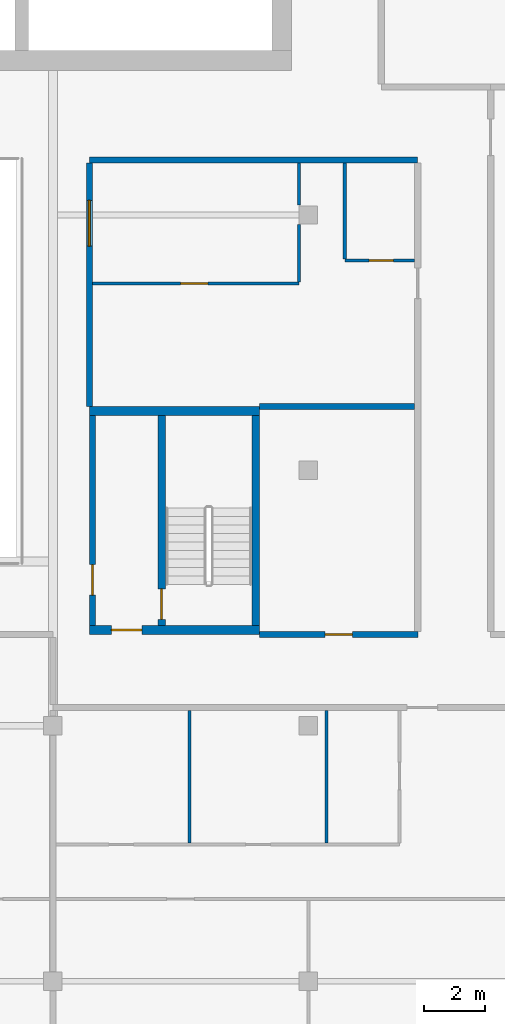
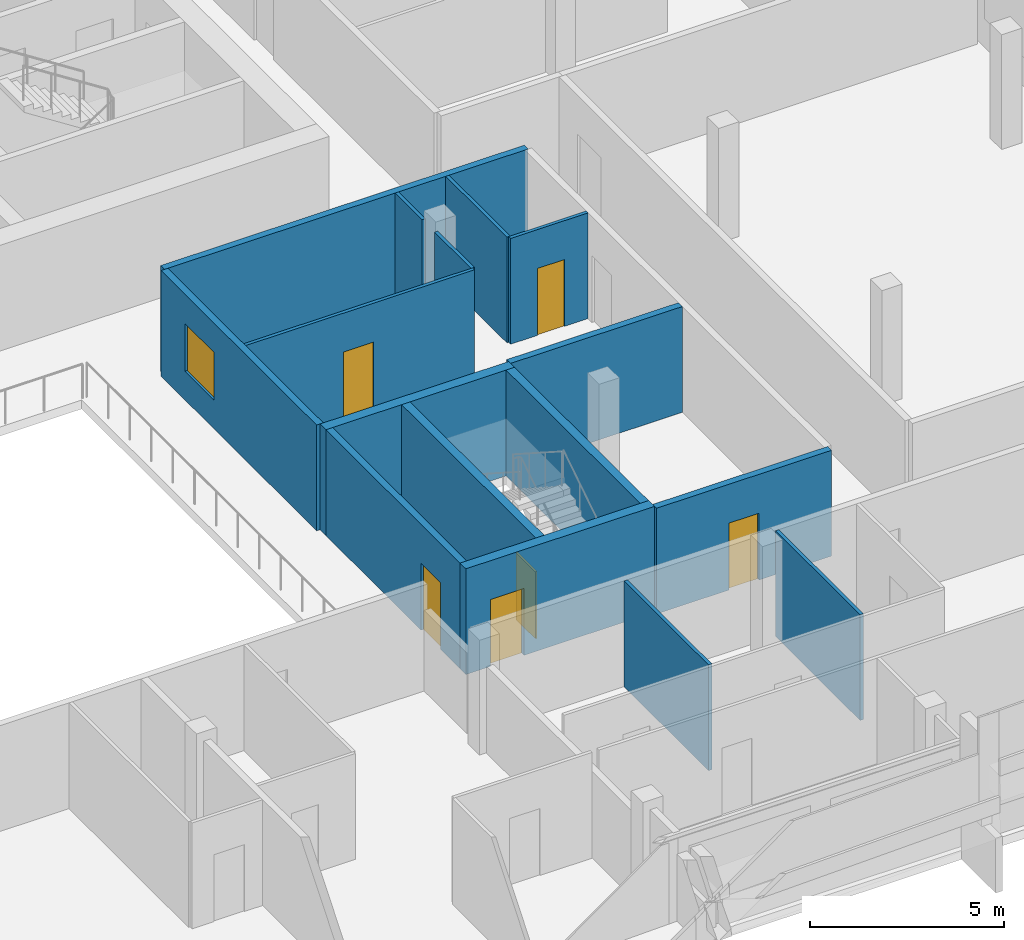
# One storey, part 19 of 27: 16 walls, 6 doors, 1 window, 7 openings.
"""IFC4 building model written with IfcOpenShell, lengths in metres."""

from ifc_helpers import new_model, si_unit, direction, frame, frame_2d, origin, place, context, subcontext, project, spatial, rectangle, extrude, material, layer, layer_set, type_object, element, fill, save


model = new_model("IFC4")

# Units and contexts
model_context = context("Model", 3, precision=1e-05, world=origin(), true_north=direction((0.0, 1.0)))
body_context = subcontext(model_context, "Body", "Model", "MODEL_VIEW")
ifc_project = project(units=[si_unit("LENGTHUNIT", "METRE"), si_unit("AREAUNIT", "SQUARE_METRE"), si_unit("VOLUMEUNIT", "CUBIC_METRE"), si_unit("PLANEANGLEUNIT", "RADIAN"), si_unit("MASSUNIT", "GRAM", prefix="KILO")], contexts=[model_context])

# Site, building, storey
site_placement = place(None, origin())
site = spatial("IfcSite", under=ifc_project, at=site_placement, CompositionType="ELEMENT")
building_placement = place(site_placement, origin())
building = spatial("IfcBuilding", under=site, at=building_placement, Name="Saffron Gate Tower", CompositionType="ELEMENT")
storey_placement = place(building_placement, frame((0.0, 0.0, 212.699951171875)))
storey = spatial("IfcBuildingStorey", under=building, at=storey_placement, Name="L51", CompositionType="ELEMENT", Elevation=212.699951171875)

# Wall, opening, door
ifc_material_1 = material(Name="Gypsum board partition on steel studs", Category="steel")
ifc_layer_1 = layer(ifc_material_1, 0.199951171875)
ifc_layer_set_1 = layer_set([ifc_layer_1], Name="CW10 Core partition 200")
wall_type_1 = type_object("IfcWallType", Name="CW10 Core partition 200", PredefinedType="PARTITIONING", material=ifc_layer_set_1)
wall_1_placement = place(storey_placement, frame((101.5, 43.5, 0.0), z_axis=(0.0, 0.0, 1.0), x_axis=(0.0, 1.0, 0.0)))
wall_1 = element("IfcWall", 1, at=wall_1_placement, inside=storey, type_object=wall_type_1, Name="Wall CW10-L51-E-2", PredefinedType="PARTITIONING", context=body_context, shape_type="SweptSolid", body=[
    extrude(rectangle(XDim=6.89990234375, YDim=0.199951171875, at=frame_2d((3.449951171875, 0.0))), origin(), (0.0, 0.0, 1.0), 3.320068359375),
])
opening_1_placement = place(wall_1_placement, frame((1.0, 0.0, 0.0)))
opening_1 = element("IfcOpeningElement", 2, at=opening_1_placement, cuts=wall_1, Name="Opening CR-22", PredefinedType="OPENING", context=body_context, shape_type="SweptSolid", body=[
    extrude(rectangle(XDim=1.0, YDim=2.10009765625, at=frame_2d((0.5, 1.050048828125))), frame((0.0, 0.10986328125, 0.0), z_axis=(0.0, -1.0, 0.0), x_axis=(1.0, 0.0, 0.0)), (0.0, 0.0, 1.0), 0.219970703125),
])
ifc_material_2 = material(Name="Steel fire door set", Category="steel")
door_type_1 = type_object("IfcDoorType", Name="CD4 Lobby door 1000x2100 EI 120", OperationType="NOTDEFINED", PredefinedType="DOOR", material=ifc_material_2)
door_1_placement = place(opening_1_placement, origin())
door_1 = element("IfcDoor", 3, at=door_1_placement, inside=storey, type_object=door_type_1, Name="DOOR CR-22", OperationType="SINGLE_SWING_LEFT", OverallHeight=2.10009765625, OverallWidth=1.0, PredefinedType="DOOR", context=body_context, shape_type="SweptSolid", body=[
    extrude(rectangle(XDim=1.0, YDim=2.10009765625, at=frame_2d((0.5, 1.050048828125))), frame((0.0, 0.02490234375, 0.0), z_axis=(0.0, -1.0, 0.0), x_axis=(1.0, 0.0, 0.0)), (0.0, 0.0, 1.0), 0.050048828125),
])
fill(opening_1, door_1)

ifc_material_3 = material(Name="Concrete C60", Category="concrete")
ifc_layer_2 = layer(ifc_material_3, 0.25)
ifc_layer_set_2 = layer_set([ifc_layer_2], Name="CW14 RC core wall 250 C60")
wall_type_2 = type_object("IfcWallType", Name="CW14 RC core wall 250 C60", PredefinedType="SOLIDWALL", material=ifc_layer_set_2)
wall_2_placement = place(storey_placement, frame((103.77490234375, 43.5, 0.0), z_axis=(0.0, 0.0, 1.0), x_axis=(0.0, 1.0, 0.0)))
wall_2 = element("IfcWall", 4, at=wall_2_placement, inside=storey, type_object=wall_type_2, Name="Wall CW14-L51-E-3", PredefinedType="SOLIDWALL", context=body_context, shape_type="SweptSolid", body=[
    extrude(rectangle(XDim=6.89990234375, YDim=0.25, at=frame_2d((3.449951171875, 0.0))), origin(), (0.0, 0.0, 1.0), 3.320068359375),
])
opening_2_placement = place(wall_2_placement, frame((0.199951171875, 0.0, 0.0)))
opening_2 = element("IfcOpeningElement", 5, at=opening_2_placement, cuts=wall_2, Name="Opening CR-23", PredefinedType="OPENING", context=body_context, shape_type="SweptSolid", body=[
    extrude(rectangle(XDim=1.0, YDim=2.10009765625, at=frame_2d((0.5, 1.050048828125))), frame((0.0, 0.135009765625, 0.0), z_axis=(0.0, -1.0, 0.0), x_axis=(1.0, 0.0, 0.0)), (0.0, 0.0, 1.0), 0.27001953125),
])
door_type_2 = type_object("IfcDoorType", Name="CD5 Stair door 1000x2100 EI 120", OperationType="NOTDEFINED", PredefinedType="DOOR", material=ifc_material_2)
door_2_placement = place(opening_2_placement, origin())
door_2 = element("IfcDoor", 6, at=door_2_placement, inside=storey, type_object=door_type_2, Name="DOOR CR-23", OperationType="SINGLE_SWING_RIGHT", OverallHeight=2.10009765625, OverallWidth=1.0, PredefinedType="DOOR", context=body_context, shape_type="SweptSolid", body=[
    extrude(rectangle(XDim=1.0, YDim=2.10009765625, at=frame_2d((0.5, 1.050048828125))), frame((0.0, 0.02490234375, 0.0), z_axis=(0.0, -1.0, 0.0), x_axis=(1.0, 0.0, 0.0)), (0.0, 0.0, 1.0), 0.050048828125),
])
fill(opening_2, door_2)

# Wall
wall_3_placement = place(storey_placement, frame((106.875, 43.5, 0.0), z_axis=(0.0, 0.0, 1.0), x_axis=(0.0, 1.0, 0.0)))
element("IfcWall", 7, at=wall_3_placement, inside=storey, type_object=wall_type_2, Name="Wall CW14-L51-E-4", PredefinedType="SOLIDWALL", context=body_context, shape_type="SweptSolid", body=[
    extrude(rectangle(XDim=6.89990234375, YDim=0.25, at=frame_2d((3.449951171875, 0.0))), origin(), (0.0, 0.0, 1.0), 3.320068359375),
])

# Wall, opening, door
ifc_layer_3 = layer(ifc_material_3, 0.300048828125)
ifc_layer_set_3 = layer_set([ifc_layer_3], Name="CW17 RC core wall 300 C60")
wall_type_3 = type_object("IfcWallType", Name="CW17 RC core wall 300 C60", PredefinedType="SOLIDWALL", material=ifc_layer_set_3)
wall_4_placement = place(storey_placement, frame((101.39990234375, 43.35009765625, 0.0), z_axis=(0.0, 0.0, 1.0), x_axis=(1.0, 0.0, 0.0)))
wall_4 = element("IfcWall", 8, at=wall_4_placement, inside=storey, type_object=wall_type_3, Name="Wall CW17-L51-E-1", PredefinedType="SOLIDWALL", context=body_context, shape_type="SweptSolid", body=[
    extrude(rectangle(XDim=5.60009765625, YDim=0.300048828125, at=frame_2d((2.800048828125, 0.0))), origin(), (0.0, 0.0, 1.0), 3.320068359375),
])
opening_3_placement = place(wall_4_placement, frame((0.72509765625, 0.0, 0.0)))
opening_3 = element("IfcOpeningElement", 9, at=opening_3_placement, cuts=wall_4, Name="Opening CR-21", PredefinedType="OPENING", context=body_context, shape_type="SweptSolid", body=[
    extrude(rectangle(XDim=1.0, YDim=2.10009765625, at=frame_2d((0.5, 1.050048828125))), frame((0.0, 0.16015625, 0.0), z_axis=(0.0, -1.0, 0.0), x_axis=(1.0, 0.0, 0.0)), (0.0, 0.0, 1.0), 0.320068359375),
])
door_3_placement = place(opening_3_placement, origin())
door_3 = element("IfcDoor", 10, at=door_3_placement, inside=storey, type_object=door_type_1, Name="DOOR CR-21", OperationType="SINGLE_SWING_RIGHT", OverallHeight=2.10009765625, OverallWidth=1.0, PredefinedType="DOOR", context=body_context, shape_type="SweptSolid", body=[
    extrude(rectangle(XDim=1.0, YDim=2.10009765625, at=frame_2d((0.5, 1.050048828125))), frame((0.0, 0.02490234375, 0.0), z_axis=(0.0, -1.0, 0.0), x_axis=(1.0, 0.0, 0.0)), (0.0, 0.0, 1.0), 0.050048828125),
])
fill(opening_3, door_3)

# Wall
wall_5_placement = place(storey_placement, frame((101.39990234375, 50.550048828125, 0.0), z_axis=(0.0, 0.0, 1.0), x_axis=(1.0, 0.0, 0.0)))
element("IfcWall", 11, at=wall_5_placement, inside=storey, type_object=wall_type_3, Name="Wall CW17-L51-E-5", PredefinedType="SOLIDWALL", context=body_context, shape_type="SweptSolid", body=[
    extrude(rectangle(XDim=5.60009765625, YDim=0.300048828125, at=frame_2d((2.800048828125, 0.0))), origin(), (0.0, 0.0, 1.0), 3.320068359375),
])

# Wall, opening, door
ifc_material_4 = material(Name="Plasterboard on steel studs", Category="steel")
ifc_layer_4 = layer(ifc_material_4, 0.10009765625)
ifc_layer_set_4 = layer_set([ifc_layer_4], Name="PW1 Partition 100")
wall_type_4 = type_object("IfcWallType", Name="PW1 Partition 100", PredefinedType="PARTITIONING", material=ifc_layer_set_4)
wall_6_placement = place(storey_placement, frame((101.5, 54.75, 0.0), z_axis=(0.0, 0.0, 1.0), x_axis=(1.0, 0.0, 0.0)))
wall_6 = element("IfcWall", 12, at=wall_6_placement, inside=storey, type_object=wall_type_4, Name="Partition D1-24", PredefinedType="PARTITIONING", context=body_context, shape_type="SweptSolid", body=[
    extrude(rectangle(XDim=6.800048828125, YDim=0.10009765625, at=frame_2d((3.39990234375, 0.0))), origin(), (0.0, 0.0, 1.0), 3.320068359375),
])
opening_4_placement = place(wall_6_placement, frame((2.89990234375, 0.0, 0.0)))
opening_4 = element("IfcOpeningElement", 13, at=opening_4_placement, cuts=wall_6, Name="Opening D1-31", PredefinedType="OPENING", context=body_context, shape_type="SweptSolid", body=[
    extrude(rectangle(XDim=0.89990234375, YDim=2.10009765625, at=frame_2d((0.449951171875, 1.050048828125))), frame((0.0, 0.06005859375, 0.0), z_axis=(0.0, -1.0, 0.0), x_axis=(1.0, 0.0, 0.0)), (0.0, 0.0, 1.0), 0.1201171875),
])
ifc_material_5 = material(Name="Timber door set", Category="wood")
door_type_3 = type_object("IfcDoorType", Name="RD1 Room door 900x2100", OperationType="NOTDEFINED", PredefinedType="DOOR", material=ifc_material_5)
door_4_placement = place(opening_4_placement, origin())
door_4 = element("IfcDoor", 14, at=door_4_placement, inside=storey, type_object=door_type_3, Name="Door D1-31", OperationType="SINGLE_SWING_LEFT", OverallHeight=2.10009765625, OverallWidth=0.89990234375, PredefinedType="DOOR", context=body_context, shape_type="SweptSolid", body=[
    extrude(rectangle(XDim=0.89990234375, YDim=2.10009765625, at=frame_2d((0.449951171875, 1.050048828125))), frame((0.0, 0.02490234375, 0.0), z_axis=(0.0, -1.0, 0.0), x_axis=(1.0, 0.0, 0.0)), (0.0, 0.0, 1.0), 0.050048828125),
])
fill(opening_4, door_4)

wall_7_placement = place(storey_placement, frame((109.800048828125, 55.5, 0.0), z_axis=(0.0, 0.0, 1.0), x_axis=(1.0, 0.0, 0.0)))
wall_7 = element("IfcWall", 15, at=wall_7_placement, inside=storey, type_object=wall_type_4, Name="Partition D1-25", PredefinedType="PARTITIONING", context=body_context, shape_type="SweptSolid", body=[
    extrude(rectangle(XDim=2.300048828125, YDim=0.10009765625, at=frame_2d((1.14990234375, 0.0))), origin(), (0.0, 0.0, 1.0), 3.320068359375),
])
opening_5_placement = place(wall_7_placement, frame((0.800048828125, 0.0, 0.0)))
opening_5 = element("IfcOpeningElement", 16, at=opening_5_placement, cuts=wall_7, Name="Opening D1-41", PredefinedType="OPENING", context=body_context, shape_type="SweptSolid", body=[
    extrude(rectangle(XDim=0.800048828125, YDim=2.10009765625, at=frame_2d((0.39990234375, 1.050048828125))), frame((0.0, 0.06005859375, 0.0), z_axis=(0.0, -1.0, 0.0), x_axis=(1.0, 0.0, 0.0)), (0.0, 0.0, 1.0), 0.1201171875),
])
door_type_4 = type_object("IfcDoorType", Name="RD2 Bathroom door 800x2100", OperationType="NOTDEFINED", PredefinedType="DOOR", material=ifc_material_5)
door_5_placement = place(opening_5_placement, origin())
door_5 = element("IfcDoor", 17, at=door_5_placement, inside=storey, type_object=door_type_4, Name="Door D1-41", OperationType="SINGLE_SWING_RIGHT", OverallHeight=2.10009765625, OverallWidth=0.800048828125, PredefinedType="DOOR", context=body_context, shape_type="SweptSolid", body=[
    extrude(rectangle(XDim=0.800048828125, YDim=2.10009765625, at=frame_2d((0.39990234375, 1.050048828125))), frame((0.0, 0.02490234375, 0.0), z_axis=(0.0, -1.0, 0.0), x_axis=(1.0, 0.0, 0.0)), (0.0, 0.0, 1.0), 0.050048828125),
])
fill(opening_5, door_5)

# Walls
wall_8_placement = place(storey_placement, frame((104.699951171875, 40.699951171875, 0.0), z_axis=(0.0, 0.0, 1.0), x_axis=(0.0, -1.0, 0.0)))
element("IfcWall", 18, at=wall_8_placement, inside=storey, type_object=wall_type_4, Name="Partition D1-83", PredefinedType="PARTITIONING", context=body_context, shape_type="SweptSolid", body=[
    extrude(rectangle(XDim=4.349853515625, YDim=0.10009765625, at=frame_2d((2.1748046875, 0.0))), origin(), (0.0, 0.0, 1.0), 3.320068359375),
])
wall_9_placement = place(storey_placement, frame((108.300048828125, 56.679931640625, 0.0), z_axis=(0.0, 0.0, 1.0), x_axis=(0.0, -1.0, 0.0)))
element("IfcWall", 19, at=wall_9_placement, inside=storey, type_object=wall_type_4, Name="Partition D1-84", PredefinedType="PARTITIONING", context=body_context, shape_type="SweptSolid", body=[
    extrude(rectangle(XDim=1.8798828125, YDim=0.10009765625, at=frame_2d((0.93994140625, 0.0))), origin(), (0.0, 0.0, 1.0), 3.320068359375),
])
wall_10_placement = place(storey_placement, frame((108.300048828125, 58.699951171875, 0.0), z_axis=(0.0, 0.0, 1.0), x_axis=(0.0, -1.0, 0.0)))
element("IfcWall", 20, at=wall_10_placement, inside=storey, type_object=wall_type_4, Name="Partition D1-85", PredefinedType="PARTITIONING", context=body_context, shape_type="SweptSolid", body=[
    extrude(rectangle(XDim=1.3798828125, YDim=0.10009765625, at=frame_2d((0.68994140625, 0.0))), origin(), (0.0, 0.0, 1.0), 3.320068359375),
])
wall_11_placement = place(storey_placement, frame((109.199951171875, 40.699951171875, 0.0), z_axis=(0.0, 0.0, 1.0), x_axis=(0.0, -1.0, 0.0)))
element("IfcWall", 21, at=wall_11_placement, inside=storey, type_object=wall_type_4, Name="Partition D1-88", PredefinedType="PARTITIONING", context=body_context, shape_type="SweptSolid", body=[
    extrude(rectangle(XDim=4.349853515625, YDim=0.10009765625, at=frame_2d((2.1748046875, 0.0))), origin(), (0.0, 0.0, 1.0), 3.320068359375),
])
wall_12_placement = place(storey_placement, frame((109.800048828125, 58.699951171875, 0.0), z_axis=(0.0, 0.0, 1.0), x_axis=(0.0, -1.0, 0.0)))
element("IfcWall", 22, at=wall_12_placement, inside=storey, type_object=wall_type_4, Name="Partition D1-89", PredefinedType="PARTITIONING", context=body_context, shape_type="SweptSolid", body=[
    extrude(rectangle(XDim=3.14990234375, YDim=0.10009765625, at=frame_2d((1.574951171875, 0.0))), origin(), (0.0, 0.0, 1.0), 3.320068359375),
])
ifc_material_6 = material(Name="Clay brick masonry, rendered", Category="masonry")
ifc_layer_5 = layer(ifc_material_6, 0.199951171875)
ifc_layer_set_5 = layer_set([ifc_layer_5], Name="PW2 Demising wall 200")
wall_type_5 = type_object("IfcWallType", Name="PW2 Demising wall 200", PredefinedType="PARTITIONING", material=ifc_layer_set_5)
wall_13_placement = place(storey_placement, frame((107.0, 50.699951171875, 0.0), z_axis=(0.0, 0.0, 1.0), x_axis=(1.0, 0.0, 0.0)))
element("IfcWall", 23, at=wall_13_placement, inside=storey, type_object=wall_type_5, Name="Wall D1-22", PredefinedType="PARTITIONING", context=body_context, shape_type="SweptSolid", body=[
    extrude(rectangle(XDim=5.10009765625, YDim=0.199951171875, at=frame_2d((2.550048828125, 0.0))), origin(), (0.0, 0.0, 1.0), 3.320068359375),
])

# Wall, opening, door
ifc_layer_6 = layer(ifc_material_6, 0.199951171875)
ifc_layer_set_6 = layer_set([ifc_layer_6], Name="PW3 Corridor wall 200")
wall_type_6 = type_object("IfcWallType", Name="PW3 Corridor wall 200", PredefinedType="PARTITIONING", material=ifc_layer_set_6)
wall_14_placement = place(storey_placement, frame((107.0, 43.199951171875, 0.0), z_axis=(0.0, 0.0, 1.0), x_axis=(1.0, 0.0, 0.0)))
wall_14 = element("IfcWall", 24, at=wall_14_placement, inside=storey, type_object=wall_type_6, Name="Wall D1-19", PredefinedType="PARTITIONING", context=body_context, shape_type="SweptSolid", body=[
    extrude(rectangle(XDim=5.199951171875, YDim=0.199951171875, at=frame_2d((2.60009765625, 0.0))), origin(), (0.0, 0.0, 1.0), 3.320068359375),
])
opening_6_placement = place(wall_14_placement, frame((2.14990234375, 0.0, 0.0)))
opening_6 = element("IfcOpeningElement", 25, at=opening_6_placement, cuts=wall_14, Name="Opening D1-42", PredefinedType="OPENING", context=body_context, shape_type="SweptSolid", body=[
    extrude(rectangle(XDim=0.89990234375, YDim=2.10009765625, at=frame_2d((0.449951171875, 1.050048828125))), frame((0.0, 0.10986328125, 0.0), z_axis=(0.0, -1.0, 0.0), x_axis=(1.0, 0.0, 0.0)), (0.0, 0.0, 1.0), 0.219970703125),
])
door_type_5 = type_object("IfcDoorType", Name="SD1 Service door 900x2100", OperationType="NOTDEFINED", PredefinedType="DOOR", material=ifc_material_2)
door_6_placement = place(opening_6_placement, origin())
door_6 = element("IfcDoor", 26, at=door_6_placement, inside=storey, type_object=door_type_5, Name="Door D1-42", OperationType="SINGLE_SWING_LEFT", OverallHeight=2.10009765625, OverallWidth=0.89990234375, PredefinedType="DOOR", context=body_context, shape_type="SweptSolid", body=[
    extrude(rectangle(XDim=0.89990234375, YDim=2.10009765625, at=frame_2d((0.449951171875, 1.050048828125))), frame((0.0, 0.02490234375, 0.0), z_axis=(0.0, -1.0, 0.0), x_axis=(1.0, 0.0, 0.0)), (0.0, 0.0, 1.0), 0.050048828125),
])
fill(opening_6, door_6)

# Wall
wall_15_placement = place(storey_placement, frame((101.39990234375, 58.800048828125, 0.0), z_axis=(0.0, 0.0, 1.0), x_axis=(1.0, 0.0, 0.0)))
element("IfcWall", 27, at=wall_15_placement, inside=storey, type_object=wall_type_6, Name="Wall D1-28", PredefinedType="PARTITIONING", context=body_context, shape_type="SweptSolid", body=[
    extrude(rectangle(XDim=10.800048828125, YDim=0.199951171875, at=frame_2d((5.39990234375, 0.0))), origin(), (0.0, 0.0, 1.0), 3.320068359375),
])

# Wall, opening, window
wall_16_placement = place(storey_placement, frame((101.39990234375, 58.699951171875, 0.0), z_axis=(0.0, 0.0, 1.0), x_axis=(0.0, -1.0, 0.0)))
wall_16 = element("IfcWall", 28, at=wall_16_placement, inside=storey, type_object=wall_type_6, Name="Wall D1-82", PredefinedType="PARTITIONING", context=body_context, shape_type="SweptSolid", body=[
    extrude(rectangle(XDim=8.0, YDim=0.199951171875, at=frame_2d((4.0, 0.0))), origin(), (0.0, 0.0, 1.0), 3.320068359375),
])
opening_7_placement = place(wall_16_placement, frame((1.22509765625, 0.0, 0.89990234375)))
opening_7 = element("IfcOpeningElement", 29, at=opening_7_placement, cuts=wall_16, Name="Opening GW1", PredefinedType="OPENING", context=body_context, shape_type="SweptSolid", body=[
    extrude(rectangle(XDim=1.5, YDim=1.5, at=frame_2d((0.75, 0.75))), frame((0.0, 0.10986328125, 0.0), z_axis=(0.0, -1.0, 0.0), x_axis=(1.0, 0.0, 0.0)), (0.0, 0.0, 1.0), 0.219970703125),
])
ifc_material_7 = material(Name="Fire-resisting laminated glass in steel frame", Category="steel")
ifc_layer_7 = layer(ifc_material_7, 0.06005859375)
ifc_layer_set_7 = layer_set([ifc_layer_7], Name="GW1 Gallery window 1500x1500")
window_type = type_object("IfcWindowType", Name="GW1 Gallery window 1500x1500", PartitioningType="SINGLE_PANEL", PredefinedType="WINDOW", material=ifc_layer_set_7)
window_placement = place(opening_7_placement, origin())
window = element("IfcWindow", 30, at=window_placement, inside=storey, type_object=window_type, Name="GW1 window D1-K-B1", OverallHeight=1.5, OverallWidth=1.5, PartitioningType="SINGLE_PANEL", PredefinedType="WINDOW", context=body_context, shape_type="SweptSolid", body=[
    extrude(rectangle(XDim=1.5, YDim=1.5, at=frame_2d((0.75, 0.75))), frame((0.0, 0.030029296875, 0.0), z_axis=(0.0, -1.0, 0.0), x_axis=(1.0, 0.0, 0.0)), (0.0, 0.0, 1.0), 0.06005859375),
])
fill(opening_7, window)

save(model, "model.ifc")
